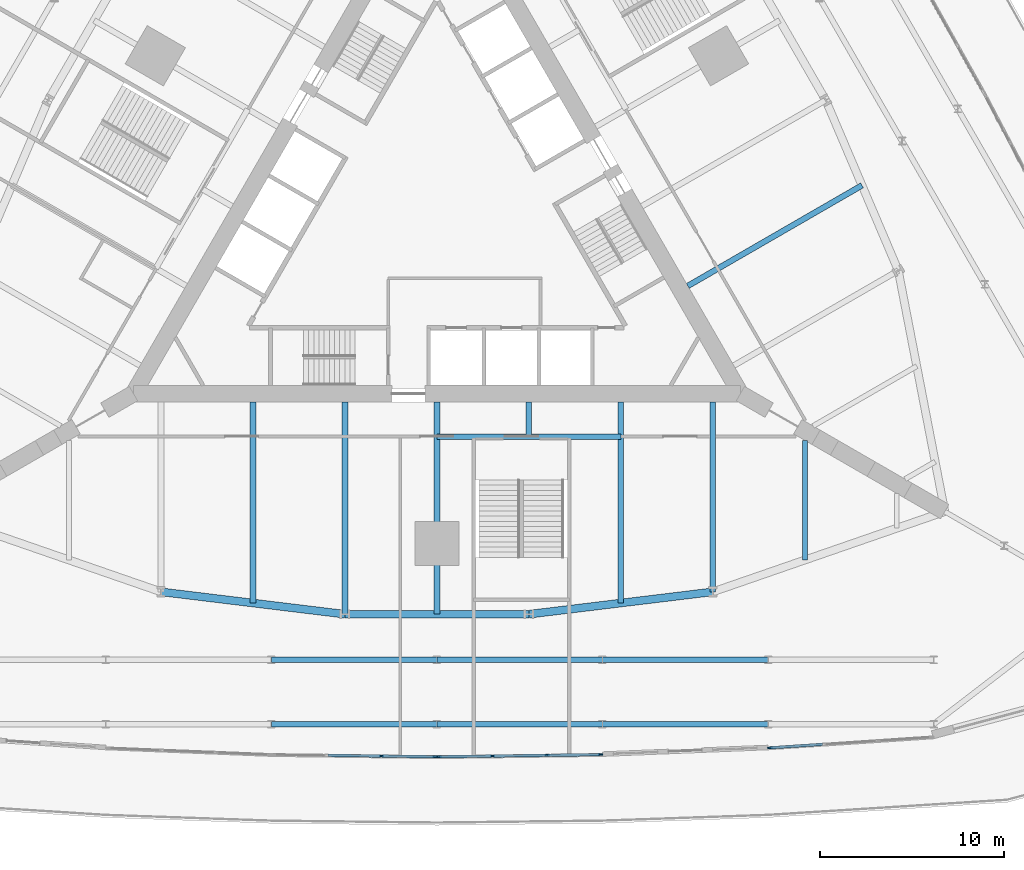
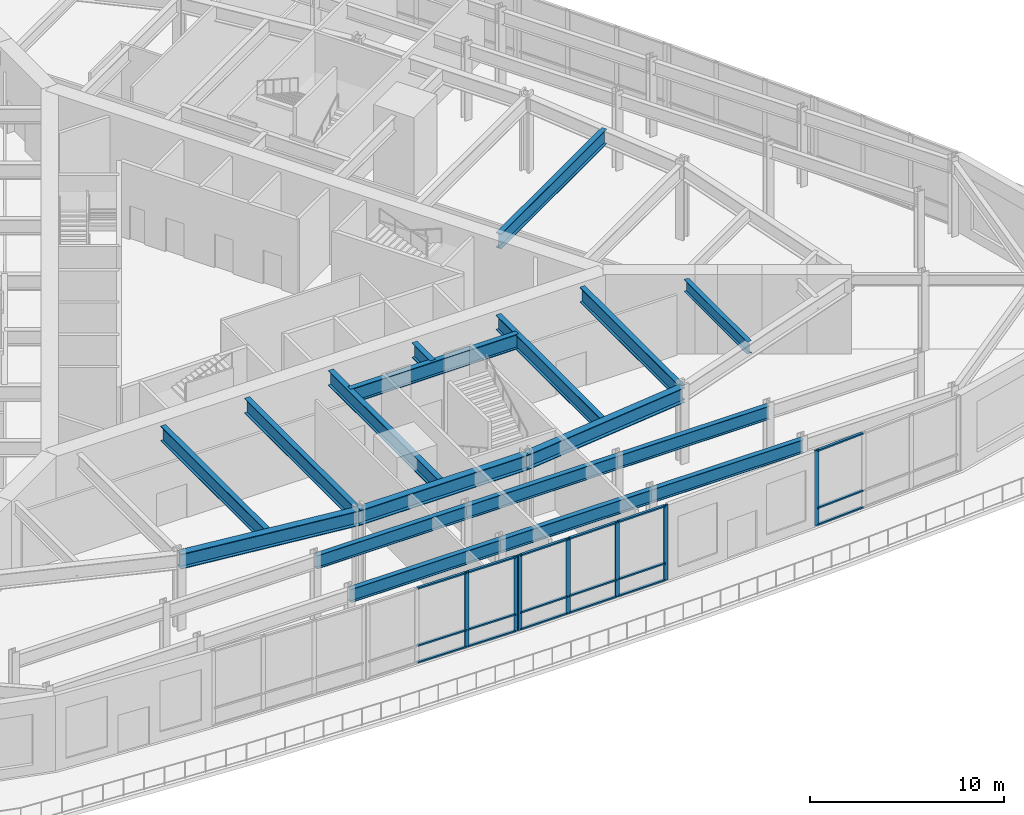
# One storey, part 4 of 20: 25 members, 18 beams, 3 elements without a shape of their own.
"""IFC4 building model written with IfcOpenShell, lengths in metres."""

import ifcopenshell
import ifcopenshell.guid

model = None  # the IFC model being written
_history = None  # IfcOwnerHistory: only IFC2X3 demands one
_inside = {}  # id of a spatial element -> (the spatial element, [elements in it])
_under = {}  # id of a project, library or spatial element -> (it, [spatial elements below it])
_declared = {}  # id of a project -> (the project, [libraries it declares])
_typed = {}  # id of a type object -> (the type object, [elements of that type])
_made_of = {}  # id of a material, layer set ... -> (it, [elements and type objects made of it])


def new_model(schema):
    """Start an empty IFC model of exactly this schema.

    Asked for "IFC4X3", IfcOpenShell would pick the latest addendum, in which some entities
    have other attributes; the version numbers below select the first issue.
    IFC2X3 requires an IfcOwnerHistory on every rooted entity: one is made here for all.
    """
    global model, _history
    if schema == "IFC4X3":
        model = ifcopenshell.file(schema_version=(4, 3, 0, 0))
    else:
        model = ifcopenshell.file(schema=schema)
    _inside.clear()
    _under.clear()
    _declared.clear()
    _typed.clear()
    _made_of.clear()
    _history = None
    if model.schema == "IFC2X3":
        org = make("IfcOrganization", Name="unknown")
        user = make(
            "IfcPersonAndOrganization",
            ThePerson=make("IfcPerson", FamilyName="unknown"),
            TheOrganization=org,
        )
        app = make(
            "IfcApplication",
            ApplicationDeveloper=org,
            Version="unknown",
            ApplicationFullName="unknown",
            ApplicationIdentifier="unknown",
        )
        _history = make(
            "IfcOwnerHistory",
            OwningUser=user,
            OwningApplication=app,
            ChangeAction="ADDED",
            CreationDate=0,
        )
    return model


def make(cls, **values):
    """One entity of the class cls with the attributes given. An attribute that is None is left unset."""
    return model.create_entity(
        cls, **{name: value for name, value in values.items() if value is not None}
    )


def rooted(cls, **values):
    """An entity with a GlobalId (a new one), such as an element, a storey or a relation."""
    return make(cls, GlobalId=ifcopenshell.guid.new(), OwnerHistory=_history, **values)


def si_unit(unit_type, name, prefix=None):
    """IfcSIUnit, for example si_unit("LENGTHUNIT", "METRE", prefix="MILLI")."""
    return make("IfcSIUnit", UnitType=unit_type, Prefix=prefix, Name=name)


def assignment(units):
    """IfcUnitAssignment: the units of a project."""
    return None if units is None else make("IfcUnitAssignment", Units=units)


def point(xyz):
    """IfcCartesianPoint."""
    return None if xyz is None else make("IfcCartesianPoint", Coordinates=xyz)


def direction(xyz):
    """IfcDirection."""
    return None if xyz is None else make("IfcDirection", DirectionRatios=xyz)


def frame(location, z_axis=None, x_axis=None):
    """IfcAxis2Placement3D, a coordinate frame: its origin and axes. An axis left out is left unset."""
    return make(
        "IfcAxis2Placement3D",
        Location=point(location),
        Axis=direction(z_axis),
        RefDirection=direction(x_axis),
    )


def frame_2d(location, x_axis=None):
    """IfcAxis2Placement2D, a coordinate frame in the plane: its origin and x axis."""
    return make(
        "IfcAxis2Placement2D", Location=point(location), RefDirection=direction(x_axis)
    )


def origin():
    """The frame at (0, 0, 0) with its axes left unset."""
    return frame((0.0, 0.0, 0.0))


def origin_2d():
    """The frame at (0, 0) in the plane with its x axis left unset."""
    return frame_2d((0.0, 0.0))


def place(relative_to, where):
    """IfcLocalPlacement: puts the frame where relative to a parent placement (None: the world)."""
    return make(
        "IfcLocalPlacement", PlacementRelTo=relative_to, RelativePlacement=where
    )


def context(
    kind, dimensions, precision=None, world=None, true_north=None, identifier=None
):
    """IfcGeometricRepresentationContext, for example the 3D "Model" context."""
    return make(
        "IfcGeometricRepresentationContext",
        ContextIdentifier=identifier,
        ContextType=kind,
        CoordinateSpaceDimension=dimensions,
        Precision=precision,
        WorldCoordinateSystem=world,
        TrueNorth=true_north,
    )


def subcontext(parent, identifier, kind, view, scale=None):
    """IfcGeometricRepresentationSubContext, for example "Body" below "Model"."""
    return make(
        "IfcGeometricRepresentationSubContext",
        ContextIdentifier=identifier,
        ContextType=kind,
        ParentContext=parent,
        TargetScale=scale,
        TargetView=view,
    )


def project(units=None, contexts=None):
    """IfcProject with its units and contexts."""
    return rooted(
        "IfcProject",
        Name="project",
        RepresentationContexts=contexts,
        UnitsInContext=assignment(units),
    )


def spatial(cls, under=None, at=None, **own):
    """A site, building, storey or space (cls), placed at a placement, below another one or the project."""
    s = rooted(cls, ObjectPlacement=at, **own)
    if under is not None:
        _under.setdefault(under.id(), (under, []))[1].append(s)
    return s


def profile(cls, at=None, kind="AREA", **sizes):
    """A parametric profile (cls). Its sizes go by their IFC names, for example OverallWidth=200.0."""
    return make(cls, ProfileType=kind, Position=at, **sizes)


def rectangle(**sizes):
    """IfcRectangleProfileDef."""
    return profile("IfcRectangleProfileDef", **sizes)


def i_section(**sizes):
    """IfcIShapeProfileDef."""
    return profile("IfcIShapeProfileDef", **sizes)


def extrude(swept, where, along, depth):
    """IfcExtrudedAreaSolid: the profile swept, set in the frame where, extruded along a direction by depth."""
    return make(
        "IfcExtrudedAreaSolid",
        SweptArea=swept,
        Position=where,
        ExtrudedDirection=direction(along),
        Depth=depth,
    )


def shape(context_of_items, identifier, shape_type, items):
    """IfcShapeRepresentation: the items that make up one representation, for example the "Body"."""
    return make(
        "IfcShapeRepresentation",
        ContextOfItems=context_of_items,
        RepresentationIdentifier=identifier,
        RepresentationType=shape_type,
        Items=items,
    )


def material(Name=None, Category=None):
    """IfcMaterial."""
    return make("IfcMaterial", Name=Name, Category=Category)


def material_profile(
    of_material, cross_section, Name=None, Category=None, Priority=None
):
    """IfcMaterialProfile: a cross section and its material."""
    return make(
        "IfcMaterialProfile",
        Name=Name,
        Material=of_material,
        Profile=cross_section,
        Priority=Priority,
        Category=Category,
    )


def profile_set(profiles, Name=None, composite=None):
    """IfcMaterialProfileSet."""
    return make(
        "IfcMaterialProfileSet",
        Name=Name,
        MaterialProfiles=profiles,
        CompositeProfile=composite,
    )


def made_of(thing, what):
    """Note that an element or type object is made of a material, layer set ...; save() writes the relation."""
    if what is not None:
        _made_of.setdefault(what.id(), (what, []))[1].append(thing)
    return thing


def type_object(cls, material=None, **own):
    """A type object (cls), such as IfcWallType, which elements share."""
    return made_of(rooted(cls, **own), material)


def element(
    cls,
    number,
    at=None,
    inside=None,
    cuts=None,
    type_object=None,
    material=None,
    context=None,
    identifier="Body",
    shape_type=None,
    held_by="IfcProductDefinitionShape",
    body=None,
    shapes=None,
    **own,
):
    """One element of the class cls, such as IfcWall. Its Tag is "e" and its number.

    at: its placement. inside: the storey or other place that contains it. cuts: it is an
    opening in that element (IfcRelVoidsElement). A single representation is given by context,
    identifier, shape_type and body (its items); several are given by shapes. held_by: the class
    of the entity that holds the representations. save() writes the other relations.
    """
    e = rooted(cls, Tag="e%d" % number, ObjectPlacement=at, **own)
    if body is not None:
        shapes = [shape(context, identifier, shape_type, body)]
    if shapes is not None:
        e.Representation = make(held_by, Representations=shapes)
    if inside is not None:
        _inside.setdefault(inside.id(), (inside, []))[1].append(e)
    if cuts is not None:
        rooted(
            "IfcRelVoidsElement", RelatingBuildingElement=cuts, RelatedOpeningElement=e
        )
    if type_object is not None:
        _typed.setdefault(type_object.id(), (type_object, []))[1].append(e)
    return made_of(e, material)


def aggregate(whole, parts):
    """IfcRelAggregates: a whole, such as a stair, and the parts it consists of."""
    return rooted("IfcRelAggregates", RelatingObject=whole, RelatedObjects=parts)


def save(model, path):
    """Write the relations noted so far, then the file.

    IfcRelAggregates (storeys below a building ...), IfcRelContainedInSpatialStructure (elements
    in a storey), IfcRelDefinesByType, IfcRelAssociatesMaterial and IfcRelDeclares: one each for
    every whole, place, type object, material and project.
    """
    for whole, parts in _under.values():
        aggregate(whole, parts)
    for where, things in _inside.values():
        rooted(
            "IfcRelContainedInSpatialStructure",
            RelatedElements=things,
            RelatingStructure=where,
        )
    for kind, things in _typed.values():
        rooted("IfcRelDefinesByType", RelatedObjects=things, RelatingType=kind)
    for what, things in _made_of.values():
        rooted("IfcRelAssociatesMaterial", RelatedObjects=things, RelatingMaterial=what)
    for by, libraries in _declared.values():
        rooted("IfcRelDeclares", RelatingContext=by, RelatedDefinitions=libraries)
    model.write(path)


model = new_model("IFC4")

# Units and contexts
model_context = context("Model", 3, precision=1e-05, world=origin(), true_north=direction((0.0, 1.0)))
body_context = subcontext(model_context, "Body", "Model", "MODEL_VIEW")
ifc_project = project(units=[si_unit("LENGTHUNIT", "METRE"), si_unit("AREAUNIT", "SQUARE_METRE"), si_unit("VOLUMEUNIT", "CUBIC_METRE"), si_unit("PLANEANGLEUNIT", "RADIAN"), si_unit("MASSUNIT", "GRAM", prefix="KILO")], contexts=[model_context])

# Site, building, storey
site_placement = place(None, origin())
site = spatial("IfcSite", under=ifc_project, at=site_placement, CompositionType="ELEMENT")
building_placement = place(site_placement, origin())
building = spatial("IfcBuilding", under=site, at=building_placement, Name="Trikona Tower", CompositionType="ELEMENT")
storey_placement = place(building_placement, frame((0.0, 0.0, 6.0)))
storey = spatial("IfcBuildingStorey", under=building, at=storey_placement, Name="L01", CompositionType="ELEMENT", Elevation=6.0)

# Curtain wall, members
ifc_material_1 = material(Name="Aluminium curtain wall system", Category="aluminium")
curtain_wall_type = type_object("IfcCurtainWallType", Name="Curtain wall PD", PredefinedType="NOTDEFINED", material=ifc_material_1)
curtain_wall_1_placement = place(storey_placement, origin())
curtain_wall_1 = element("IfcCurtainWall", 1, at=curtain_wall_1_placement, inside=storey, type_object=curtain_wall_type, Name="Curtain wall PD L01", PredefinedType="NOTDEFINED")
ifc_material_2 = material(Name="Aluminium mullion, pale anodised", Category="aluminium")
ifc_material_profile_1 = material_profile(ifc_material_2, rectangle(XDim=0.090087890625, YDim=0.25, at=origin_2d()), Name="MUL-PD")
ifc_profile_set_1 = profile_set([ifc_material_profile_1], Name="Aluminium mullion, pale anodised")
member_type_1 = type_object("IfcMemberType", Name="Mullion PD 90x250", PredefinedType="MULLION", material=ifc_profile_set_1)
member_1_placement = place(storey_placement, frame((-3.018798828125, -29.22998046875, 0.0), z_axis=(0.0, 0.0, 1.0), x_axis=(0.013332148307, 0.999911122961, 0.0)))
member_1 = element("IfcMember", 2, at=member_1_placement, type_object=member_type_1, Name="CW-PD mullion 3", PredefinedType="MULLION", context=body_context, shape_type="SweptSolid", body=[
    extrude(rectangle(XDim=0.090087890625, YDim=0.25, at=origin_2d()), origin(), (0.0, 0.0, 1.0), 4.75),
])
member_2_placement = place(storey_placement, frame((-0.103759765625, -29.268798828125, 0.0), z_axis=(0.0, 0.0, 1.0), x_axis=(0.013332148307, 0.999911122961, 0.0)))
member_2 = element("IfcMember", 3, at=member_2_placement, type_object=member_type_1, Name="CW-PD mullion 4", PredefinedType="MULLION", context=body_context, shape_type="SweptSolid", body=[
    extrude(rectangle(XDim=0.090087890625, YDim=0.25, at=origin_2d()), origin(), (0.0, 0.0, 1.0), 4.75),
])

curtain_wall_2_placement = place(storey_placement, origin())
curtain_wall_2 = element("IfcCurtainWall", 4, at=curtain_wall_2_placement, inside=storey, type_object=curtain_wall_type, Name="Curtain wall PD L01", PredefinedType="NOTDEFINED")
member_3_placement = place(storey_placement, frame((0.103759765625, -29.268798828125, 0.0), z_axis=(0.0, 0.0, 1.0), x_axis=(-0.013332148307, 0.999911122961, 0.0)))
member_3 = element("IfcMember", 5, at=member_3_placement, type_object=member_type_1, Name="CW-PD mullion 1", PredefinedType="MULLION", context=body_context, shape_type="SweptSolid", body=[
    extrude(rectangle(XDim=0.090087890625, YDim=0.25, at=origin_2d()), origin(), (0.0, 0.0, 1.0), 4.75),
])
member_4_placement = place(storey_placement, frame((3.018798828125, -29.22998046875, 0.0), z_axis=(0.0, 0.0, 1.0), x_axis=(-0.013332148307, 0.999911122961, 0.0)))
member_4 = element("IfcMember", 6, at=member_4_placement, type_object=member_type_1, Name="CW-PD mullion 2", PredefinedType="MULLION", context=body_context, shape_type="SweptSolid", body=[
    extrude(rectangle(XDim=0.090087890625, YDim=0.25, at=origin_2d()), origin(), (0.0, 0.0, 1.0), 4.75),
])
member_5_placement = place(storey_placement, frame((5.978759765625, -29.1904296875, 0.0), z_axis=(0.0, 0.0, 1.0), x_axis=(-0.013332148307, 0.999911122961, 0.0)))
member_5 = element("IfcMember", 7, at=member_5_placement, type_object=member_type_1, Name="CW-PD mullion 3", PredefinedType="MULLION", context=body_context, shape_type="SweptSolid", body=[
    extrude(rectangle(XDim=0.090087890625, YDim=0.25, at=origin_2d()), origin(), (0.0, 0.0, 1.0), 4.75),
])
member_6_placement = place(storey_placement, frame((8.893798828125, -29.151611328125, 0.0), z_axis=(0.0, 0.0, 1.0), x_axis=(-0.013332148307, 0.999911122961, 0.0)))
member_6 = element("IfcMember", 8, at=member_6_placement, type_object=member_type_1, Name="CW-PD mullion 4", PredefinedType="MULLION", context=body_context, shape_type="SweptSolid", body=[
    extrude(rectangle(XDim=0.090087890625, YDim=0.25, at=origin_2d()), origin(), (0.0, 0.0, 1.0), 4.75),
])

# Curtain wall, member
curtain_wall_3_placement = place(storey_placement, origin())
curtain_wall_3 = element("IfcCurtainWall", 9, at=curtain_wall_3_placement, inside=storey, type_object=curtain_wall_type, Name="Curtain wall PD L01", PredefinedType="NOTDEFINED")
member_7_placement = place(storey_placement, frame((18.09814453125, -28.783447265625, 0.0), z_axis=(0.0, 0.0, 1.0), x_axis=(-0.066516773278, 0.997785307004, 0.0)))
member_7 = element("IfcMember", 10, at=member_7_placement, type_object=member_type_1, Name="CW-PD mullion 1", PredefinedType="MULLION", context=body_context, shape_type="SweptSolid", body=[
    extrude(rectangle(XDim=0.090087890625, YDim=0.25, at=origin_2d()), origin(), (0.0, 0.0, 1.0), 4.75),
])

# Beams
ifc_material_3 = material(Name="Steel ASTM A992 Grade 50", Category="steel")
ifc_material_profile_2 = material_profile(ifc_material_3, i_section(OverallWidth=0.2666015625, OverallDepth=0.76953125, WebThickness=0.015625, FlangeThickness=0.025390625, at=origin_2d()), Name="W30X132")
ifc_profile_set_2 = profile_set([ifc_material_profile_2], Name="Steel ASTM A992 Grade 50")
beam_type_1 = type_object("IfcBeamType", Name="Steel beam W30x132 (wedge)", PredefinedType="BEAM", material=ifc_profile_set_2)
beam_1_placement = place(storey_placement, frame((20.0, -12.066650390625, 4.365234375), z_axis=(0.0, -1.0, 0.0), x_axis=(1.0, 0.0, 0.0)))
element("IfcBeam", 11, at=beam_1_placement, inside=storey, type_object=beam_type_1, Name="Floor beam L02 F1 u20", PredefinedType="BEAM", context=body_context, shape_type="SweptSolid", body=[
    extrude(i_section(OverallWidth=0.2666015625, OverallDepth=0.76953125, WebThickness=0.015625, FlangeThickness=0.025390625, at=origin_2d()), origin(), (0.0, 0.0, 1.0), 6.5068359375),
])
ifc_material_4 = material(Name="Steel ASTM A992 Grade 50", Category="steel")
ifc_material_profile_3 = material_profile(ifc_material_4, i_section(OverallWidth=0.2919921875, OverallDepth=0.845703125, WebThickness=0.015380859375, FlangeThickness=0.0244140625, at=origin_2d()), Name="W33X141")
ifc_profile_set_3 = profile_set([ifc_material_profile_3], Name="Steel ASTM A992 Grade 50")
beam_type_2 = type_object("IfcBeamType", Name="Steel beam W33x141 (pod girder)", PredefinedType="BEAM", material=ifc_profile_set_3)
for number, where, z_axis, x_axis, name in (
    (12, (-9.0, -24.0, 4.3271484375), (1.0, 0.0, 0.0), (0.0, 1.0, 0.0), "Podium beam L02 GR24F0m9-R24F0p0"),
    (13, (0.0, -24.0, 4.3271484375), (1.0, 0.0, 0.0), (0.0, 1.0, 0.0), "Podium beam L02 GR24F0p0-R24F0p9"),
    (14, (9.0, -24.0, 4.3271484375), (1.0, 0.0, 0.0), (0.0, 1.0, 0.0), "Podium beam L02 GR24F0p9-R24F0p18"),
    (15, (-9.0, -27.5, 4.3271484375), (1.0, 0.0, 0.0), (0.0, 1.0, 0.0), "Podium beam L02 GR27.5F0m9-R27.5F0p0"),
    (16, (0.0, -27.5, 4.3271484375), (1.0, 0.0, 0.0), (0.0, 1.0, 0.0), "Podium beam L02 GR27.5F0p0-R27.5F0p9"),
    (17, (9.0, -27.5, 4.3271484375), (1.0, 0.0, 0.0), (0.0, 1.0, 0.0), "Podium beam L02 GR27.5F0p9-R27.5F0p18"),
):
    element("IfcBeam", number, at=place(storey_placement, frame(where, z_axis=z_axis, x_axis=x_axis)), inside=storey, type_object=beam_type_2, Name=name, PredefinedType="BEAM", context=body_context, shape_type="SweptSolid", body=[
        extrude(i_section(OverallWidth=0.2919921875, OverallDepth=0.845703125, WebThickness=0.015380859375, FlangeThickness=0.0244140625, at=origin_2d()), origin(), (0.0, 0.0, 1.0), 9.0),
    ])
ifc_material_5 = material(Name="Steel ASTM A992 Grade 50", Category="steel")
ifc_material_profile_4 = material_profile(ifc_material_5, i_section(OverallWidth=0.307373046875, OverallDepth=0.9423828125, WebThickness=0.022216796875, FlangeThickness=0.039794921875, at=origin_2d()), Name="W36X232")
ifc_profile_set_4 = profile_set([ifc_material_profile_4], Name="Steel ASTM A992 Grade 50")
beam_type_3 = type_object("IfcBeamType", Name="Steel beam W36x232 (radial low)", PredefinedType="BEAM", material=ifc_profile_set_4)
beam_2_placement = place(storey_placement, frame((-10.0, -9.976318359375, 4.27880859375), z_axis=(0.0, -1.0, 0.0), x_axis=(1.0, 0.0, 0.0)))
element("IfcBeam", 18, at=beam_2_placement, inside=storey, type_object=beam_type_3, Name="Floor beam L02 F1 u-10", PredefinedType="BEAM", context=body_context, shape_type="SweptSolid", body=[
    extrude(i_section(OverallWidth=0.307373046875, OverallDepth=0.9423828125, WebThickness=0.022216796875, FlangeThickness=0.039794921875, at=origin_2d()), origin(), (0.0, 0.0, 1.0), 10.935302734375),
])
for number, where, z_axis, x_axis, name in (
    (19, (-5.0, -9.976318359375, 4.27880859375), (0.0, -1.0, 0.0), (1.0, 0.0, 0.0), "Floor beam L02 F1 u-5"),
    (20, (0.0, -9.976318359375, 4.27880859375), (0.0, -1.0, 0.0), (1.0, 0.0, 0.0), "Floor beam L02 F1 u0"),
):
    element("IfcBeam", number, at=place(storey_placement, frame(where, z_axis=z_axis, x_axis=x_axis)), inside=storey, type_object=beam_type_3, Name=name, PredefinedType="BEAM", context=body_context, shape_type="SweptSolid", body=[
        extrude(i_section(OverallWidth=0.307373046875, OverallDepth=0.9423828125, WebThickness=0.022216796875, FlangeThickness=0.039794921875, at=origin_2d()), origin(), (0.0, 0.0, 1.0), 11.544189453125),
    ])
beam_3_placement = place(storey_placement, frame((5.0, -9.976318359375, 4.27880859375), z_axis=(0.0, -1.0, 0.0), x_axis=(1.0, 0.0, 0.0)))
element("IfcBeam", 21, at=beam_3_placement, inside=storey, type_object=beam_type_3, Name="Floor beam L02 F1 u5", PredefinedType="BEAM", context=body_context, shape_type="SweptSolid", body=[
    extrude(i_section(OverallWidth=0.307373046875, OverallDepth=0.9423828125, WebThickness=0.022216796875, FlangeThickness=0.039794921875, at=origin_2d()), origin(), (0.0, 0.0, 1.0), 1.89990234375),
])
beam_4_placement = place(storey_placement, frame((10.0, -9.976318359375, 4.27880859375), z_axis=(0.0, -1.0, 0.0), x_axis=(1.0, 0.0, 0.0)))
element("IfcBeam", 22, at=beam_4_placement, inside=storey, type_object=beam_type_3, Name="Floor beam L02 F1 u10", PredefinedType="BEAM", context=body_context, shape_type="SweptSolid", body=[
    extrude(i_section(OverallWidth=0.307373046875, OverallDepth=0.9423828125, WebThickness=0.022216796875, FlangeThickness=0.039794921875, at=origin_2d()), origin(), (0.0, 0.0, 1.0), 10.935302734375),
])
beam_5_placement = place(storey_placement, frame((15.0, -9.976318359375, 4.27880859375), z_axis=(0.0, -1.0, 0.0), x_axis=(1.0, 0.0, 0.0)))
element("IfcBeam", 23, at=beam_5_placement, inside=storey, type_object=beam_type_3, Name="Floor beam L02 F1 u15", PredefinedType="BEAM", context=body_context, shape_type="SweptSolid", body=[
    extrude(i_section(OverallWidth=0.307373046875, OverallDepth=0.9423828125, WebThickness=0.022216796875, FlangeThickness=0.039794921875, at=origin_2d()), origin(), (0.0, 0.0, 1.0), 10.32666015625),
])
beam_6_placement = place(storey_placement, frame((0.0, -11.876220703125, 4.27880859375), z_axis=(1.0, 0.0, 0.0), x_axis=(0.0, 1.0, 0.0)))
element("IfcBeam", 24, at=beam_6_placement, inside=storey, type_object=beam_type_3, Name="Trimmer beam L02 F1 podium stair", PredefinedType="BEAM", context=body_context, shape_type="SweptSolid", body=[
    extrude(i_section(OverallWidth=0.307373046875, OverallDepth=0.9423828125, WebThickness=0.022216796875, FlangeThickness=0.039794921875, at=origin_2d()), origin(), (0.0, 0.0, 1.0), 10.0),
])
beam_7_placement = place(storey_placement, frame((13.6396484375, -3.672119140625, 4.27880859375), z_axis=(0.866025348605, 0.500000095573, 0.0), x_axis=(-0.500000095573, 0.866025348605, 0.0)))
element("IfcBeam", 25, at=beam_7_placement, inside=storey, type_object=beam_type_3, Name="Floor beam L02 F2 u-10", PredefinedType="BEAM", context=body_context, shape_type="SweptSolid", body=[
    extrude(i_section(OverallWidth=0.307373046875, OverallDepth=0.9423828125, WebThickness=0.022216796875, FlangeThickness=0.039794921875, at=origin_2d()), origin(), (0.0, 0.0, 1.0), 10.935546875),
])
ifc_material_6 = material(Name="Steel ASTM A992 Grade 50", Category="steel")
ifc_material_profile_5 = material_profile(ifc_material_6, i_section(OverallWidth=0.424072265625, OverallDepth=0.947509765625, WebThickness=0.02392578125, FlangeThickness=0.042724609375, at=origin_2d()), Name="W36X302")
ifc_profile_set_5 = profile_set([ifc_material_profile_5], Name="Steel ASTM A992 Grade 50")
beam_type_4 = type_object("IfcBeamType", Name="Steel beam W36x302 (pod tower spandrel)", PredefinedType="BEAM", material=ifc_profile_set_5)
beam_8_placement = place(storey_placement, frame((-15.0, -20.302978515625, 4.2763671875), z_axis=(0.99266951126, -0.120860421207, 0.0), x_axis=(0.120860421207, 0.99266951126, 0.0)))
element("IfcBeam", 26, at=beam_8_placement, inside=storey, type_object=beam_type_4, Name="Spandrel beam L02 F1-2", PredefinedType="BEAM", context=body_context, shape_type="SweptSolid", body=[
    extrude(i_section(OverallWidth=0.424072265625, OverallDepth=0.947509765625, WebThickness=0.02392578125, FlangeThickness=0.042724609375, at=origin_2d()), origin(), (0.0, 0.0, 1.0), 10.07373046875),
])
beam_9_placement = place(storey_placement, frame((-5.0, -21.5205078125, 4.2763671875), z_axis=(1.0, 0.0, 0.0), x_axis=(0.0, 1.0, 0.0)))
element("IfcBeam", 27, at=beam_9_placement, inside=storey, type_object=beam_type_4, Name="Spandrel beam L02 F1-3", PredefinedType="BEAM", context=body_context, shape_type="SweptSolid", body=[
    extrude(i_section(OverallWidth=0.424072265625, OverallDepth=0.947509765625, WebThickness=0.02392578125, FlangeThickness=0.042724609375, at=origin_2d()), origin(), (0.0, 0.0, 1.0), 10.0),
])
beam_10_placement = place(storey_placement, frame((5.0, -21.5205078125, 4.2763671875), z_axis=(0.99266951126, 0.120860421207, 0.0), x_axis=(-0.120860421207, 0.99266951126, 0.0)))
element("IfcBeam", 28, at=beam_10_placement, inside=storey, type_object=beam_type_4, Name="Spandrel beam L02 F1-4", PredefinedType="BEAM", context=body_context, shape_type="SweptSolid", body=[
    extrude(i_section(OverallWidth=0.424072265625, OverallDepth=0.947509765625, WebThickness=0.02392578125, FlangeThickness=0.042724609375, at=origin_2d()), origin(), (0.0, 0.0, 1.0), 10.07373046875),
])

# Member
ifc_material_7 = material(Name="Aluminium transom, pale anodised", Category="aluminium")
ifc_material_profile_6 = material_profile(ifc_material_7, rectangle(XDim=0.14990234375, YDim=0.090087890625, at=origin_2d()), Name="TRN-PD")
ifc_profile_set_6 = profile_set([ifc_material_profile_6], Name="Aluminium transom, pale anodised")
member_type_2 = type_object("IfcMemberType", Name="Transom PD 90x150", PredefinedType="USERDEFINED", material=ifc_profile_set_6)
member_8_placement = place(storey_placement, frame((-5.93359375, -29.191162109375, 0.044921875), z_axis=(0.999911952592, -0.01326978006, 0.0), x_axis=(0.01326978006, 0.999911952592, 0.0)))
member_8 = element("IfcMember", 29, at=member_8_placement, type_object=member_type_2, Name="CW-PD transom 2.1", ObjectType="TRANSOM", PredefinedType="USERDEFINED", context=body_context, shape_type="SweptSolid", body=[
    extrude(rectangle(XDim=0.14990234375, YDim=0.090087890625, at=origin_2d()), origin(), (0.0, 0.0, 1.0), 2.8701171875),
])

member_9_placement = place(storey_placement, frame((-5.93359375, -29.191162109375, 1.10009765625), z_axis=(0.999911952592, -0.01326978006, 0.0), x_axis=(0.01326978006, 0.999911952592, 0.0)))
member_9 = element("IfcMember", 30, at=member_9_placement, type_object=member_type_2, Name="CW-PD transom 2.2", ObjectType="TRANSOM", PredefinedType="USERDEFINED", context=body_context, shape_type="SweptSolid", body=[
    extrude(rectangle(XDim=0.14990234375, YDim=0.090087890625, at=origin_2d()), origin(), (0.0, 0.0, 1.0), 2.8701171875),
])

member_10_placement = place(storey_placement, frame((-5.93359375, -29.191162109375, 4.705078125), z_axis=(0.999911952592, -0.01326978006, 0.0), x_axis=(0.01326978006, 0.999911952592, 0.0)))
member_10 = element("IfcMember", 31, at=member_10_placement, type_object=member_type_2, Name="CW-PD transom 2.3", ObjectType="TRANSOM", PredefinedType="USERDEFINED", context=body_context, shape_type="SweptSolid", body=[
    extrude(rectangle(XDim=0.14990234375, YDim=0.090087890625, at=origin_2d()), origin(), (0.0, 0.0, 1.0), 2.8701171875),
])

member_11_placement = place(storey_placement, frame((-2.9736328125, -29.23046875, 0.044921875), z_axis=(0.999910291588, -0.013394356166, 0.0), x_axis=(0.013394356166, 0.999910291588, 0.0)))
member_11 = element("IfcMember", 32, at=member_11_placement, type_object=member_type_2, Name="CW-PD transom 3.1", ObjectType="TRANSOM", PredefinedType="USERDEFINED", context=body_context, shape_type="SweptSolid", body=[
    extrude(rectangle(XDim=0.14990234375, YDim=0.090087890625, at=origin_2d()), origin(), (0.0, 0.0, 1.0), 2.8251953125),
])

member_12_placement = place(storey_placement, frame((-2.9736328125, -29.23046875, 1.10009765625), z_axis=(0.999910291588, -0.013394356166, 0.0), x_axis=(0.013394356166, 0.999910291588, 0.0)))
member_12 = element("IfcMember", 33, at=member_12_placement, type_object=member_type_2, Name="CW-PD transom 3.2", ObjectType="TRANSOM", PredefinedType="USERDEFINED", context=body_context, shape_type="SweptSolid", body=[
    extrude(rectangle(XDim=0.14990234375, YDim=0.090087890625, at=origin_2d()), origin(), (0.0, 0.0, 1.0), 2.8251953125),
])

member_13_placement = place(storey_placement, frame((-2.9736328125, -29.23046875, 4.705078125), z_axis=(0.999910291588, -0.013394356166, 0.0), x_axis=(0.013394356166, 0.999910291588, 0.0)))
member_13 = element("IfcMember", 34, at=member_13_placement, type_object=member_type_2, Name="CW-PD transom 3.3", ObjectType="TRANSOM", PredefinedType="USERDEFINED", context=body_context, shape_type="SweptSolid", body=[
    extrude(rectangle(XDim=0.14990234375, YDim=0.090087890625, at=origin_2d()), origin(), (0.0, 0.0, 1.0), 2.8251953125),
])

aggregate(curtain_wall_1, [member_1, member_2, member_8, member_9, member_10, member_11, member_12, member_13])

member_14_placement = place(storey_placement, frame((0.148681640625, -29.268310546875, 0.044921875), z_axis=(0.999910291588, 0.013394356166, 0.0), x_axis=(-0.013394356166, 0.999910291588, 0.0)))
member_14 = element("IfcMember", 35, at=member_14_placement, type_object=member_type_2, Name="CW-PD transom 1.1", ObjectType="TRANSOM", PredefinedType="USERDEFINED", context=body_context, shape_type="SweptSolid", body=[
    extrude(rectangle(XDim=0.14990234375, YDim=0.090087890625, at=origin_2d()), origin(), (0.0, 0.0, 1.0), 2.8251953125),
])

member_15_placement = place(storey_placement, frame((0.148681640625, -29.268310546875, 1.10009765625), z_axis=(0.999910291588, 0.013394356166, 0.0), x_axis=(-0.013394356166, 0.999910291588, 0.0)))
member_15 = element("IfcMember", 36, at=member_15_placement, type_object=member_type_2, Name="CW-PD transom 1.2", ObjectType="TRANSOM", PredefinedType="USERDEFINED", context=body_context, shape_type="SweptSolid", body=[
    extrude(rectangle(XDim=0.14990234375, YDim=0.090087890625, at=origin_2d()), origin(), (0.0, 0.0, 1.0), 2.8251953125),
])

member_16_placement = place(storey_placement, frame((0.148681640625, -29.268310546875, 4.705078125), z_axis=(0.999910291588, 0.013394356166, 0.0), x_axis=(-0.013394356166, 0.999910291588, 0.0)))
member_16 = element("IfcMember", 37, at=member_16_placement, type_object=member_type_2, Name="CW-PD transom 1.3", ObjectType="TRANSOM", PredefinedType="USERDEFINED", context=body_context, shape_type="SweptSolid", body=[
    extrude(rectangle(XDim=0.14990234375, YDim=0.090087890625, at=origin_2d()), origin(), (0.0, 0.0, 1.0), 2.8251953125),
])

member_17_placement = place(storey_placement, frame((3.063720703125, -29.229248046875, 0.044921875), z_axis=(0.999911952592, 0.01326978006, 0.0), x_axis=(-0.01326978006, 0.999911952592, 0.0)))
member_17 = element("IfcMember", 38, at=member_17_placement, type_object=member_type_2, Name="CW-PD transom 2.1", ObjectType="TRANSOM", PredefinedType="USERDEFINED", context=body_context, shape_type="SweptSolid", body=[
    extrude(rectangle(XDim=0.14990234375, YDim=0.090087890625, at=origin_2d()), origin(), (0.0, 0.0, 1.0), 2.8701171875),
])

member_18_placement = place(storey_placement, frame((3.063720703125, -29.229248046875, 1.10009765625), z_axis=(0.999911952592, 0.01326978006, 0.0), x_axis=(-0.01326978006, 0.999911952592, 0.0)))
member_18 = element("IfcMember", 39, at=member_18_placement, type_object=member_type_2, Name="CW-PD transom 2.2", ObjectType="TRANSOM", PredefinedType="USERDEFINED", context=body_context, shape_type="SweptSolid", body=[
    extrude(rectangle(XDim=0.14990234375, YDim=0.090087890625, at=origin_2d()), origin(), (0.0, 0.0, 1.0), 2.8701171875),
])

member_19_placement = place(storey_placement, frame((3.063720703125, -29.229248046875, 4.705078125), z_axis=(0.999911952592, 0.01326978006, 0.0), x_axis=(-0.01326978006, 0.999911952592, 0.0)))
member_19 = element("IfcMember", 40, at=member_19_placement, type_object=member_type_2, Name="CW-PD transom 2.3", ObjectType="TRANSOM", PredefinedType="USERDEFINED", context=body_context, shape_type="SweptSolid", body=[
    extrude(rectangle(XDim=0.14990234375, YDim=0.090087890625, at=origin_2d()), origin(), (0.0, 0.0, 1.0), 2.8701171875),
])

member_20_placement = place(storey_placement, frame((6.023681640625, -29.18994140625, 0.044921875), z_axis=(0.999910291588, 0.013394356166, 0.0), x_axis=(-0.013394356166, 0.999910291588, 0.0)))
member_20 = element("IfcMember", 41, at=member_20_placement, type_object=member_type_2, Name="CW-PD transom 3.1", ObjectType="TRANSOM", PredefinedType="USERDEFINED", context=body_context, shape_type="SweptSolid", body=[
    extrude(rectangle(XDim=0.14990234375, YDim=0.090087890625, at=origin_2d()), origin(), (0.0, 0.0, 1.0), 2.8251953125),
])

member_21_placement = place(storey_placement, frame((6.023681640625, -29.18994140625, 1.10009765625), z_axis=(0.999910291588, 0.013394356166, 0.0), x_axis=(-0.013394356166, 0.999910291588, 0.0)))
member_21 = element("IfcMember", 42, at=member_21_placement, type_object=member_type_2, Name="CW-PD transom 3.2", ObjectType="TRANSOM", PredefinedType="USERDEFINED", context=body_context, shape_type="SweptSolid", body=[
    extrude(rectangle(XDim=0.14990234375, YDim=0.090087890625, at=origin_2d()), origin(), (0.0, 0.0, 1.0), 2.8251953125),
])

member_22_placement = place(storey_placement, frame((6.023681640625, -29.18994140625, 4.705078125), z_axis=(0.999910291588, 0.013394356166, 0.0), x_axis=(-0.013394356166, 0.999910291588, 0.0)))
member_22 = element("IfcMember", 43, at=member_22_placement, type_object=member_type_2, Name="CW-PD transom 3.3", ObjectType="TRANSOM", PredefinedType="USERDEFINED", context=body_context, shape_type="SweptSolid", body=[
    extrude(rectangle(XDim=0.14990234375, YDim=0.090087890625, at=origin_2d()), origin(), (0.0, 0.0, 1.0), 2.8251953125),
])

aggregate(curtain_wall_2, [member_3, member_4, member_5, member_6, member_14, member_15, member_16, member_17, member_18, member_19, member_20, member_21, member_22])

member_23_placement = place(storey_placement, frame((18.14306640625, -28.780517578125, 0.044921875), z_axis=(0.997782486633, 0.066559066766, 0.0), x_axis=(-0.066559066766, 0.997782486633, 0.0)))
member_23 = element("IfcMember", 44, at=member_23_placement, type_object=member_type_2, Name="CW-PD transom 1.1", ObjectType="TRANSOM", PredefinedType="USERDEFINED", context=body_context, shape_type="SweptSolid", body=[
    extrude(rectangle(XDim=0.14990234375, YDim=0.090087890625, at=origin_2d()), origin(), (0.0, 0.0, 1.0), 2.831787109375),
])

member_24_placement = place(storey_placement, frame((18.14306640625, -28.780517578125, 1.10009765625), z_axis=(0.997782486633, 0.066559066766, 0.0), x_axis=(-0.066559066766, 0.997782486633, 0.0)))
member_24 = element("IfcMember", 45, at=member_24_placement, type_object=member_type_2, Name="CW-PD transom 1.2", ObjectType="TRANSOM", PredefinedType="USERDEFINED", context=body_context, shape_type="SweptSolid", body=[
    extrude(rectangle(XDim=0.14990234375, YDim=0.090087890625, at=origin_2d()), origin(), (0.0, 0.0, 1.0), 2.831787109375),
])

member_25_placement = place(storey_placement, frame((18.14306640625, -28.780517578125, 4.705078125), z_axis=(0.997782486633, 0.066559066766, 0.0), x_axis=(-0.066559066766, 0.997782486633, 0.0)))
member_25 = element("IfcMember", 46, at=member_25_placement, type_object=member_type_2, Name="CW-PD transom 1.3", ObjectType="TRANSOM", PredefinedType="USERDEFINED", context=body_context, shape_type="SweptSolid", body=[
    extrude(rectangle(XDim=0.14990234375, YDim=0.090087890625, at=origin_2d()), origin(), (0.0, 0.0, 1.0), 2.831787109375),
])

aggregate(curtain_wall_3, [member_7, member_23, member_24, member_25])

save(model, "model.ifc")
